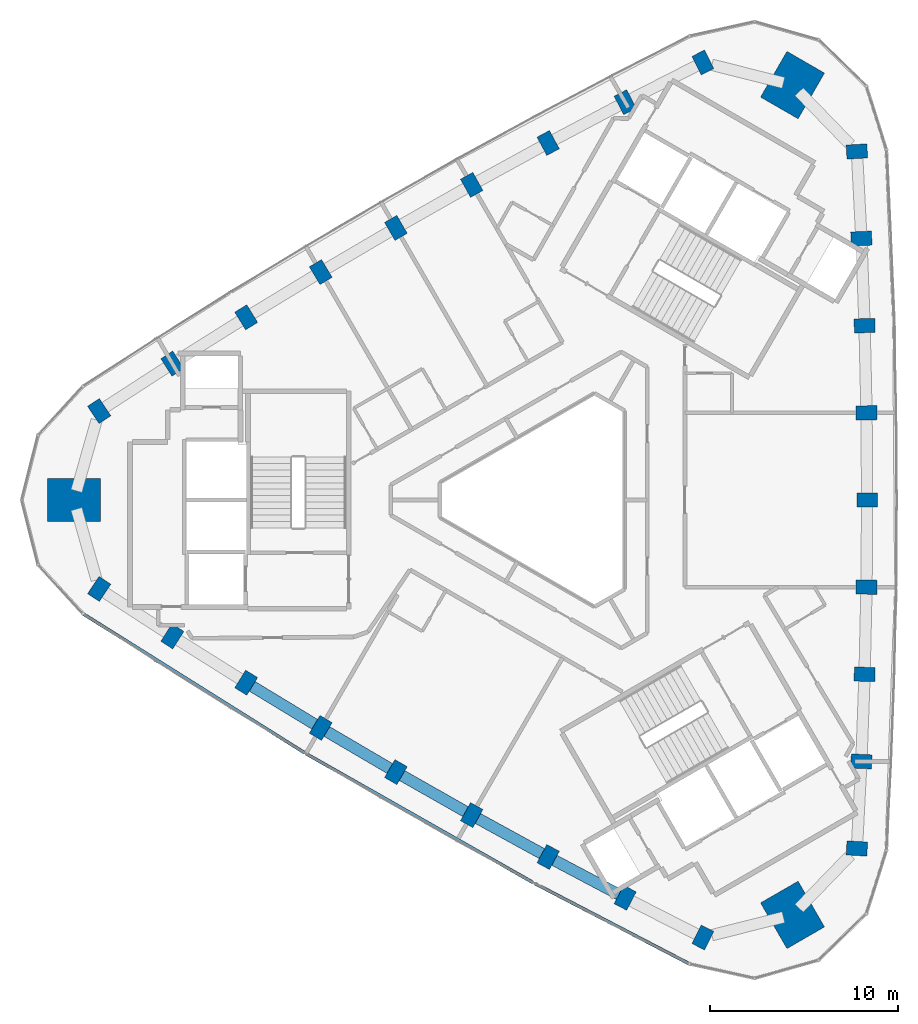
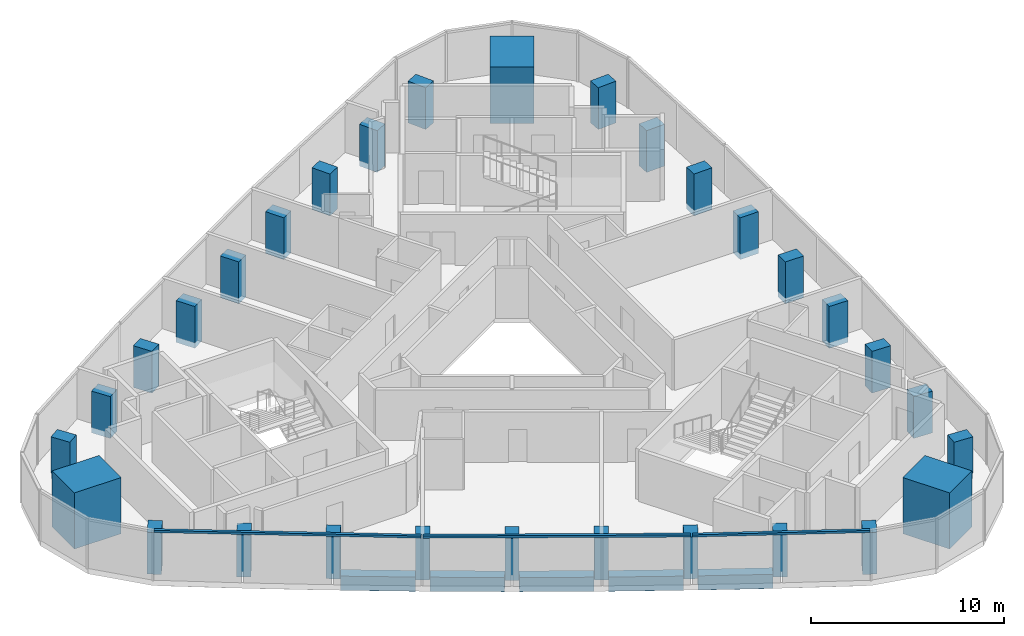
# One storey, part 1 of 11: 30 columns, 5 beams, 3 members, 1 element without a shape of its own.
"""IFC4 building model written with IfcOpenShell, lengths in metres."""

from ifc_helpers import new_model, si_unit, direction, frame, origin, origin_2d, place, context, subcontext, project, spatial, rectangle, extrude, material, material_profile, profile_set, type_object, element, aggregate, save


model = new_model("IFC4")

# Units and contexts
model_context = context("Model", 3, precision=1e-05, world=origin(), true_north=direction((0.0, 1.0)))
body_context = subcontext(model_context, "Body", "Model", "MODEL_VIEW")
ifc_project = project(units=[si_unit("LENGTHUNIT", "METRE"), si_unit("AREAUNIT", "SQUARE_METRE"), si_unit("VOLUMEUNIT", "CUBIC_METRE"), si_unit("PLANEANGLEUNIT", "RADIAN"), si_unit("MASSUNIT", "GRAM", prefix="KILO")], contexts=[model_context])

# Site, building, storey
site_placement = place(None, origin())
site = spatial("IfcSite", under=ifc_project, at=site_placement, CompositionType="ELEMENT")
building_placement = place(site_placement, origin())
building = spatial("IfcBuilding", under=site, at=building_placement, Name="Tamra Quay Hotel Tower", CompositionType="ELEMENT")
storey_placement = place(building_placement, frame((0.0, 0.0, 253.800048828125)))
storey = spatial("IfcBuildingStorey", under=building, at=storey_placement, Name="L64", CompositionType="ELEMENT", Elevation=253.800048828125)

# Columns
ifc_material_1 = material(Name="Concrete M70", Category="concrete")
ifc_material_profile_1 = material_profile(ifc_material_1, rectangle(XDim=1.10009765625, YDim=0.75, at=origin_2d()), Name="COLUMN RC 750x1100 Z5")
ifc_profile_set_1 = profile_set([ifc_material_profile_1], Name="Concrete M70")
column_type_1 = type_object("IfcColumnType", Name="COLUMN RC 750x1100 Z5", PredefinedType="COLUMN", material=ifc_profile_set_1)
for number, where, z_axis, x_axis, name in (
    (1, (16.12548828125, -18.490966796875, -0.35009765625), (0.0, 0.0, 1.0), (-0.998292120165, 0.05841954139, 0.0), "COL-C5E01-L64"),
    (2, (16.36328125, -13.87158203125, -0.35009765625), (0.0, 0.0, 1.0), (-0.999033395056, 0.043957656467, 0.0), "COL-C5E02-L64"),
    (3, (16.533203125, -9.24951171875, -0.35009765625), (0.0, 0.0, 1.0), (-0.999578606696, 0.029027728727, 0.0), "COL-C5E03-L64"),
    (4, (16.63525390625, -4.625, -0.35009765625), (0.0, 0.0, 1.0), (-0.999888113, 0.014958659101, 0.0), "COL-C5E04-L64"),
    (5, (16.66943359375, 0.0, -0.35009765625), (0.0, 0.0, 1.0), (1.0, 0.0, 0.0), "COL-C5E05-L64"),
    (6, (16.63525390625, 4.625, -0.35009765625), (0.0, 0.0, 1.0), (0.999888113, 0.014958659101, 0.0), "COL-C5E06-L64"),
    (7, (16.533203125, 9.24951171875, -0.35009765625), (0.0, 0.0, 1.0), (0.999578606696, 0.029027728727, 0.0), "COL-C5E07-L64"),
    (8, (16.36328125, 13.87158203125, -0.35009765625), (0.0, 0.0, 1.0), (0.999033395056, 0.043957656467, 0.0), "COL-C5E08-L64"),
    (9, (16.12548828125, 18.490966796875, -0.35009765625), (0.0, 0.0, 1.0), (0.998292120165, 0.05841954139, 0.0), "COL-C5E09-L64"),
    (10, (7.950927734375, 23.210693359375, -0.35009765625), (0.0, 0.0, 1.0), (-0.448553253162, 0.893756107156, 0.0), "COL-C5NW01-L64"),
    (11, (3.83154296875, 21.10693359375, -0.35009765625), (0.0, 0.0, 1.0), (-0.461448250337, 0.887167127581, 0.0), "COL-C5NW02-L64"),
    (12, (-0.25634765625, 18.943115234375, -0.35009765625), (0.0, 0.0, 1.0), (-0.474650552857, 0.880174330842, 0.0), "COL-C5NW03-L64"),
    (13, (-4.312255859375, 16.718994140625, -0.35009765625), (0.0, 0.0, 1.0), (-0.486989477712, 0.87340783635, 0.0), "COL-C5NW04-L64"),
    (14, (-8.334716796875, 14.43603515625, -0.35009765625), (0.0, 0.0, 1.0), (-0.5, 0.866025403784, 0.0), "COL-C5NW05-L64"),
    (15, (-12.322998046875, 12.093994140625, -0.35009765625), (0.0, 0.0, 1.0), (-0.512898635288, 0.858449177249, 0.0), "COL-C5NW06-L64"),
    (16, (-16.277099609375, 9.693359375, -0.35009765625), (0.0, 0.0, 1.0), (-0.52492805384, 0.851146602115, 0.0), "COL-C5NW07-L64"),
    (17, (-20.19482421875, 7.235107421875, -0.35009765625), (0.0, 0.0, 1.0), (-0.537585144719, 0.843209471114, 0.0), "COL-C5NW08-L64"),
    (18, (-24.076416015625, 4.7197265625, -0.35009765625), (0.0, 0.0, 1.0), (-0.549738867003, 0.835336565766, 0.0), "COL-C5NW09-L64"),
    (19, (-24.076416015625, -4.7197265625, -0.35009765625), (0.0, 0.0, 1.0), (0.549738867003, 0.835336565766, 0.0), "COL-C5SW01-L64"),
    (20, (-20.19482421875, -7.235107421875, -0.35009765625), (0.0, 0.0, 1.0), (0.537585144719, 0.843209471114, 0.0), "COL-C5SW02-L64"),
    (21, (-16.277099609375, -9.693359375, -0.35009765625), (0.0, 0.0, 1.0), (0.52492805384, 0.851146602115, 0.0), "COL-C5SW03-L64"),
    (22, (-12.322998046875, -12.093994140625, -0.35009765625), (0.0, 0.0, 1.0), (0.512898635288, 0.858449177249, 0.0), "COL-C5SW04-L64"),
    (23, (-8.334716796875, -14.43603515625, -0.35009765625), (0.0, 0.0, 1.0), (0.5, 0.866025403784, 0.0), "COL-C5SW05-L64"),
    (24, (-4.312255859375, -16.718994140625, -0.35009765625), (0.0, 0.0, 1.0), (0.486989477712, 0.87340783635, 0.0), "COL-C5SW06-L64"),
    (25, (-0.25634765625, -18.943115234375, -0.35009765625), (0.0, 0.0, 1.0), (0.474650552857, 0.880174330842, 0.0), "COL-C5SW07-L64"),
    (26, (3.83154296875, -21.10693359375, -0.35009765625), (0.0, 0.0, 1.0), (0.461448250337, 0.887167127581, 0.0), "COL-C5SW08-L64"),
    (27, (7.950927734375, -23.210693359375, -0.35009765625), (0.0, 0.0, 1.0), (0.448553253162, 0.893756107156, 0.0), "COL-C5SW09-L64"),
):
    element("IfcColumn", number, at=place(storey_placement, frame(where, z_axis=z_axis, x_axis=x_axis)), inside=storey, type_object=column_type_1, Name=name, PredefinedType="COLUMN", context=body_context, shape_type="SweptSolid", body=[
        extrude(rectangle(XDim=1.10009765625, YDim=0.75, at=origin_2d()), origin(), (0.0, 0.0, 1.0), 2.64013671875),
    ])
ifc_material_profile_2 = material_profile(ifc_material_1, rectangle(XDim=2.800048828125, YDim=2.300048828125, at=origin_2d()), Name="MEGA COLUMN RC 2300x2800 Z5")
ifc_profile_set_2 = profile_set([ifc_material_profile_2], Name="Concrete M70")
column_type_2 = type_object("IfcColumnType", Name="MEGA COLUMN RC 2300x2800 Z5", PredefinedType="COLUMN", material=ifc_profile_set_2)
for number, where, z_axis, x_axis, name in (
    (28, (12.710205078125, 22.0146484375, -0.35009765625), (0.0, 0.0, 1.0), (0.5, 0.866025403784, 0.0), "COL-M5NE-L64"),
    (29, (-25.42041015625, 0.0, -0.35009765625), (0.0, 0.0, 1.0), (1.0, 0.0, 0.0), "COL-M5W-L64"),
    (30, (12.710205078125, -22.0146484375, -0.35009765625), (0.0, 0.0, 1.0), (-0.5, 0.866025403784, 0.0), "COL-M5SE-L64"),
):
    element("IfcColumn", number, at=place(storey_placement, frame(where, z_axis=z_axis, x_axis=x_axis)), inside=storey, type_object=column_type_2, Name=name, PredefinedType="COLUMN", context=body_context, shape_type="SweptSolid", body=[
        extrude(rectangle(XDim=2.800048828125, YDim=2.300048828125, at=origin_2d()), origin(), (0.0, 0.0, 1.0), 3.550048828125),
    ])

# Beams
ifc_material_2 = material(Name="Concrete M60", Category="concrete")
ifc_material_profile_3 = material_profile(ifc_material_2, rectangle(XDim=0.60009765625, YDim=0.89990234375, at=origin_2d()), Name="SPANDREL BEAM RC 600x900")
ifc_profile_set_3 = profile_set([ifc_material_profile_3], Name="Concrete M60")
beam_type = type_object("IfcBeamType", Name="SPANDREL BEAM RC 600x900", PredefinedType="SPANDREL", material=ifc_profile_set_3)
beam_1_placement = place(storey_placement, frame((-15.95654296875, -9.887939453125, -0.800048828125), z_axis=(0.854785519234, -0.518981421737, 0.0), x_axis=(0.518981421737, 0.854785519234, 0.0)))
element("IfcBeam", 31, at=beam_1_placement, inside=storey, type_object=beam_type, Name="BM-SP5-022-L64", PredefinedType="SPANDREL", context=body_context, shape_type="SweptSolid", body=[
    extrude(rectangle(XDim=0.60009765625, YDim=0.89990234375, at=origin_2d()), origin(), (0.0, 0.0, 1.0), 3.875732421875),
])
beam_2_placement = place(storey_placement, frame((-11.999755859375, -12.283935546875, -0.800048828125), z_axis=(0.862324287816, -0.506356418585, 0.0), x_axis=(0.506356418585, 0.862324287816, 0.0)))
element("IfcBeam", 32, at=beam_2_placement, inside=storey, type_object=beam_type, Name="BM-SP5-023-L64", PredefinedType="SPANDREL", context=body_context, shape_type="SweptSolid", body=[
    extrude(rectangle(XDim=0.60009765625, YDim=0.89990234375, at=origin_2d()), origin(), (0.0, 0.0, 1.0), 3.875),
])
beam_3_placement = place(storey_placement, frame((-8.008544921875, -14.62109375, -0.800048828125), z_axis=(0.86967787455, -0.493619686113, 0.0), x_axis=(0.493619686113, 0.86967787455, 0.0)))
element("IfcBeam", 33, at=beam_3_placement, inside=storey, type_object=beam_type, Name="BM-SP5-024-L64", PredefinedType="SPANDREL", context=body_context, shape_type="SweptSolid", body=[
    extrude(rectangle(XDim=0.60009765625, YDim=0.89990234375, at=origin_2d()), origin(), (0.0, 0.0, 1.0), 3.875244140625),
])
beam_4_placement = place(storey_placement, frame((-3.9833984375, -16.8994140625, -0.800048828125), z_axis=(0.876838966376, -0.480784179279, 0.0), x_axis=(0.480784179279, 0.876838966376, 0.0)))
element("IfcBeam", 34, at=beam_4_placement, inside=storey, type_object=beam_type, Name="BM-SP5-025-L64", PredefinedType="SPANDREL", context=body_context, shape_type="SweptSolid", body=[
    extrude(rectangle(XDim=0.60009765625, YDim=0.89990234375, at=origin_2d()), origin(), (0.0, 0.0, 1.0), 3.87548828125),
])
beam_5_placement = place(storey_placement, frame((0.0751953125, -19.118408203125, -0.800048828125), z_axis=(0.883803240878, -0.467858772937, 0.0), x_axis=(0.467858772937, 0.883803240878, 0.0)))
element("IfcBeam", 35, at=beam_5_placement, inside=storey, type_object=beam_type, Name="BM-SP5-026-L64", PredefinedType="SPANDREL", context=body_context, shape_type="SweptSolid", body=[
    extrude(rectangle(XDim=0.60009765625, YDim=0.89990234375, at=origin_2d()), origin(), (0.0, 0.0, 1.0), 3.875),
])

# Curtain wall, members
ifc_material_3 = material(Name="Aluminium 6063 anodised dark grey", Category="aluminium")
curtain_wall_type = type_object("IfcCurtainWallType", Name="CW3 CURTAIN WALL", PredefinedType="NOTDEFINED", material=ifc_material_3)
curtain_wall_placement = place(storey_placement, origin())
curtain_wall = element("IfcCurtainWall", 36, at=curtain_wall_placement, inside=storey, type_object=curtain_wall_type, Name="CW3 south-west face L64", PredefinedType="NOTDEFINED")
ifc_material_profile_4 = material_profile(ifc_material_3, rectangle(XDim=0.169921875, YDim=0.139892578125, at=origin_2d()), Name="TRANSOM 170X140")
ifc_profile_set_4 = profile_set([ifc_material_profile_4], Name="Aluminium 6063 anodised dark grey")
member_type = type_object("IfcMemberType", Name="TRANSOM CW3 Z5", PredefinedType="USERDEFINED", material=ifc_profile_set_4)
member_1_placement = place(storey_placement, frame((-24.899658203125, -6.061767578125, 3.1298828125), z_axis=(0.847069654587, -0.531481890829, 0.0), x_axis=(0.531481890829, 0.847069654587, 0.0)))
member_1 = element("IfcMember", 37, at=member_1_placement, type_object=member_type, Name="CW3 transom L64.SW.1", ObjectType="TRANSOM", PredefinedType="USERDEFINED", context=body_context, shape_type="SweptSolid", body=[
    extrude(rectangle(XDim=0.169921875, YDim=0.139892578125, at=origin_2d()), origin(), (0.0, 0.0, 1.0), 13.84375),
])
member_2_placement = place(storey_placement, frame((-13.087158203125, -13.470703125, 3.1298828125), z_axis=(0.869679572469, -0.493616694642, 0.0), x_axis=(0.493616694642, 0.869679572469, 0.0)))
member_2 = element("IfcMember", 38, at=member_2_placement, type_object=member_type, Name="CW3 transom L64.SW.4", ObjectType="TRANSOM", PredefinedType="USERDEFINED", context=body_context, shape_type="SweptSolid", body=[
    extrude(rectangle(XDim=0.169921875, YDim=0.139892578125, at=origin_2d()), origin(), (0.0, 0.0, 1.0), 13.84423828125),
])
member_3_placement = place(storey_placement, frame((-0.959228515625, -20.351806640625, 3.1298828125), z_axis=(0.887215931947, -0.461354408345, 0.0), x_axis=(0.461354408345, 0.887215931947, 0.0)))
member_3 = element("IfcMember", 39, at=member_3_placement, type_object=member_type, Name="CW3 transom L64.SW.7", ObjectType="TRANSOM", PredefinedType="USERDEFINED", context=body_context, shape_type="SweptSolid", body=[
    extrude(rectangle(XDim=0.169921875, YDim=0.139892578125, at=origin_2d()), origin(), (0.0, 0.0, 1.0), 9.19677734375),
])
aggregate(curtain_wall, [member_1, member_2, member_3])

save(model, "model.ifc")
